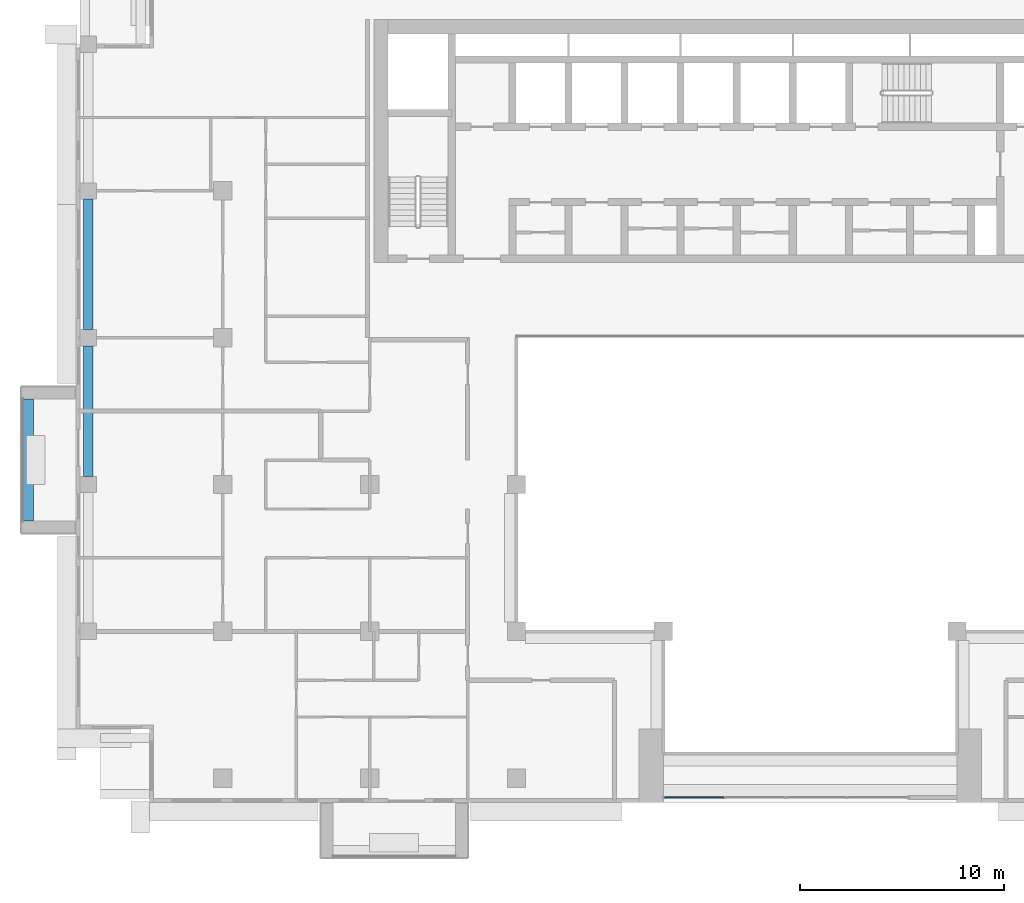
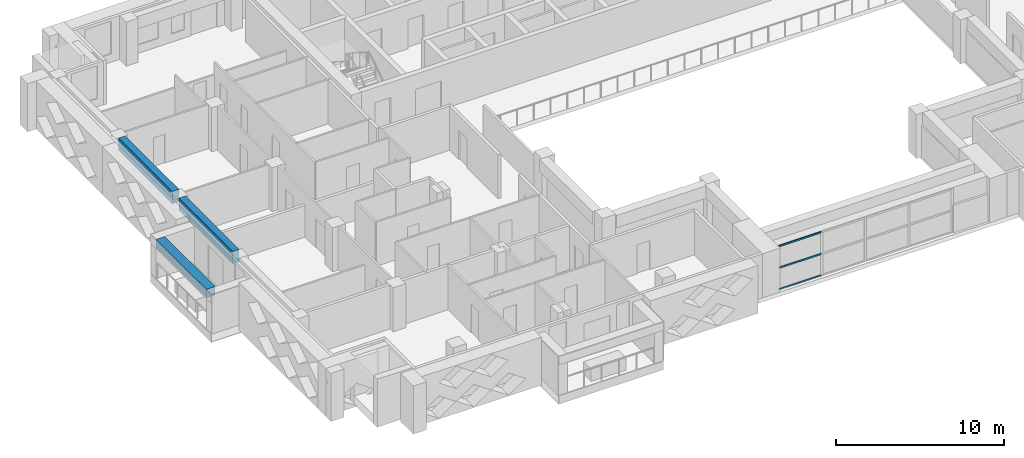
# One storey, part 3 of 20: 3 beams, 3 members, 1 element without a shape of its own.
"""IFC4 building model written with IfcOpenShell, lengths in metres."""

from ifc_helpers import new_model, si_unit, direction, frame, origin, origin_2d, place, context, subcontext, project, spatial, rectangle, extrude, source, transform, mapped, material, layer, layer_set, material_profile, profile_set, type_object, element, aggregate, save


model = new_model("IFC4")

# Units and contexts
model_context = context("Model", 3, precision=1e-05, world=origin(), true_north=direction((0.0, 1.0)))
body_context = subcontext(model_context, "Body", "Model", "MODEL_VIEW")
ifc_project = project(units=[si_unit("LENGTHUNIT", "METRE"), si_unit("AREAUNIT", "SQUARE_METRE"), si_unit("VOLUMEUNIT", "CUBIC_METRE"), si_unit("PLANEANGLEUNIT", "RADIAN"), si_unit("MASSUNIT", "GRAM", prefix="KILO")], contexts=[model_context])

# Site, building, storey
site_placement = place(None, origin())
site = spatial("IfcSite", under=ifc_project, at=site_placement, CompositionType="ELEMENT")
building_placement = place(site_placement, origin())
building = spatial("IfcBuilding", under=site, at=building_placement, Name="Saffron Iwan Residences", CompositionType="ELEMENT")
storey_placement = place(building_placement, frame((0.0, 0.0, 181.5)))
storey = spatial("IfcBuildingStorey", under=building, at=storey_placement, Name="L48", CompositionType="ELEMENT", Elevation=181.5)

# Beams
ifc_material_1 = material(Name="Concrete C50/60", Category="concrete")
ifc_material_profile_1 = material_profile(ifc_material_1, rectangle(XDim=0.449951171875, YDim=0.89990234375, at=origin_2d()), Name="RC 450x900")
ifc_profile_set_1 = profile_set([ifc_material_profile_1], Name="Concrete C50/60")
beam_type_1 = type_object("IfcBeamType", Name="SPANDREL BEAM RC 450x900 C50/60 TOP 3200", PredefinedType="SPANDREL", material=ifc_profile_set_1)
shared_shape_1 = source(origin(), body_context, "Body", "SweptSolid", [
    extrude(rectangle(XDim=0.449951171875, YDim=0.89990234375, at=origin_2d()), origin(), (0.0, 0.0, 1.0), 6.39990234375),
])
for number, where, z_axis, x_axis, name in (
    (1, (15.0, 55.60009765625, 2.75), (0.0, 1.0, 0.0), (-1.0, 0.0, 0.0), "Spandrel beam"),
    (2, (15.0, 62.800048828125, 2.75), (0.0, 1.0, 0.0), (-1.0, 0.0, 0.0), "Spandrel beam"),
):
    element("IfcBeam", number, at=place(storey_placement, frame(where, z_axis=z_axis, x_axis=x_axis)), inside=storey, type_object=beam_type_1, Name=name, PredefinedType="SPANDREL", context=body_context, shape_type="MappedRepresentation", body=[
        mapped(shared_shape_1, transform((0.0, 0.0, 0.0))),
    ])

# Curtain wall, members
ifc_material_2 = material(Name="Clear glass, laminated double glazed", Category="glass")
ifc_layer = layer(ifc_material_2, 0.199951171875)
ifc_layer_set = layer_set([ifc_layer], Name="Clear glass, laminated double glazed")
curtain_wall_type = type_object("IfcCurtainWallType", Name="CW-B IWAN PORTAL", PredefinedType="NOTDEFINED", material=ifc_layer_set)
curtain_wall_placement = place(storey_placement, origin())
curtain_wall = element("IfcCurtainWall", 3, at=curtain_wall_placement, inside=storey, type_object=curtain_wall_type, Name="Iwan portal glazing L48.1", PredefinedType="NOTDEFINED")
ifc_material_3 = material(Name="Aluminium 6063-T6", Category="aluminium")
ifc_material_profile_2 = material_profile(ifc_material_3, rectangle(XDim=0.06005859375, YDim=0.1201171875, at=origin_2d()), Name="CW-B TRANSOM 60 x 120")
ifc_profile_set_2 = profile_set([ifc_material_profile_2], Name="Aluminium 6063-T6")
member_type = type_object("IfcMemberType", Name="CW-B TRANSOM 60 x 120", PredefinedType="USERDEFINED", material=ifc_profile_set_2)
shared_shape_2 = source(origin(), body_context, "Body", "SweptSolid", [
    extrude(rectangle(XDim=0.06005859375, YDim=0.1201171875, at=origin_2d()), origin(), (0.0, 0.0, 1.0), 2.909912109375),
])
member_1_placement = place(storey_placement, frame((43.260009765625, 39.85009765625, 0.030029296875), z_axis=(1.0, 0.0, 0.0), x_axis=(0.0, 1.0, 0.0)))
member_1 = element("IfcMember", 4, at=member_1_placement, type_object=member_type, Name="CW-B transom 1.1", ObjectType="TRANSOM", PredefinedType="USERDEFINED", context=body_context, shape_type="MappedRepresentation", body=[
    mapped(shared_shape_2, transform((0.0, 0.0, 0.0))),
])
member_2_placement = place(storey_placement, frame((43.260009765625, 39.85009765625, 1.60009765625), z_axis=(1.0, 0.0, 0.0), x_axis=(0.0, 1.0, 0.0)))
member_2 = element("IfcMember", 5, at=member_2_placement, type_object=member_type, Name="CW-B transom 1.2", ObjectType="TRANSOM", PredefinedType="USERDEFINED", context=body_context, shape_type="MappedRepresentation", body=[
    mapped(shared_shape_2, transform((0.0, 0.0, 0.0))),
])
member_3_placement = place(storey_placement, frame((43.260009765625, 39.85009765625, 3.169921875), z_axis=(1.0, 0.0, 0.0), x_axis=(0.0, 1.0, 0.0)))
member_3 = element("IfcMember", 6, at=member_3_placement, type_object=member_type, Name="CW-B transom 1.3", ObjectType="TRANSOM", PredefinedType="USERDEFINED", context=body_context, shape_type="MappedRepresentation", body=[
    mapped(shared_shape_2, transform((0.0, 0.0, 0.0))),
])
aggregate(curtain_wall, [member_1, member_2, member_3])

# Beam
ifc_material_4 = material(Name="Concrete C50/60 white painted", Category="concrete")
ifc_material_profile_3 = material_profile(ifc_material_4, rectangle(XDim=0.60009765625, YDim=0.60009765625, at=origin_2d()), Name="BALCONY FASCIA BEAM 600 x 600")
ifc_profile_set_3 = profile_set([ifc_material_profile_3], Name="Concrete C50/60 white painted")
beam_type_2 = type_object("IfcBeamType", Name="BALCONY FASCIA BEAM 600 x 600", PredefinedType="BEAM", material=ifc_profile_set_3)
shared_shape_3 = source(origin(), body_context, "Body", "SweptSolid", [
    extrude(rectangle(XDim=0.60009765625, YDim=0.60009765625, at=origin_2d()), origin(), (0.0, 0.0, 1.0), 6.0),
])
beam_placement = place(storey_placement, frame((12.0, 59.39990234375, 2.550048828125), z_axis=(0.0, -1.0, 0.0), x_axis=(1.0, 0.0, 0.0)))
element("IfcBeam", 7, at=beam_placement, inside=storey, type_object=beam_type_2, Name="Balcony fascia beam L48 F8-1", PredefinedType="BEAM", context=body_context, shape_type="MappedRepresentation", body=[
    mapped(shared_shape_3, transform((0.0, 0.0, 0.0))),
])

save(model, "model.ifc")
